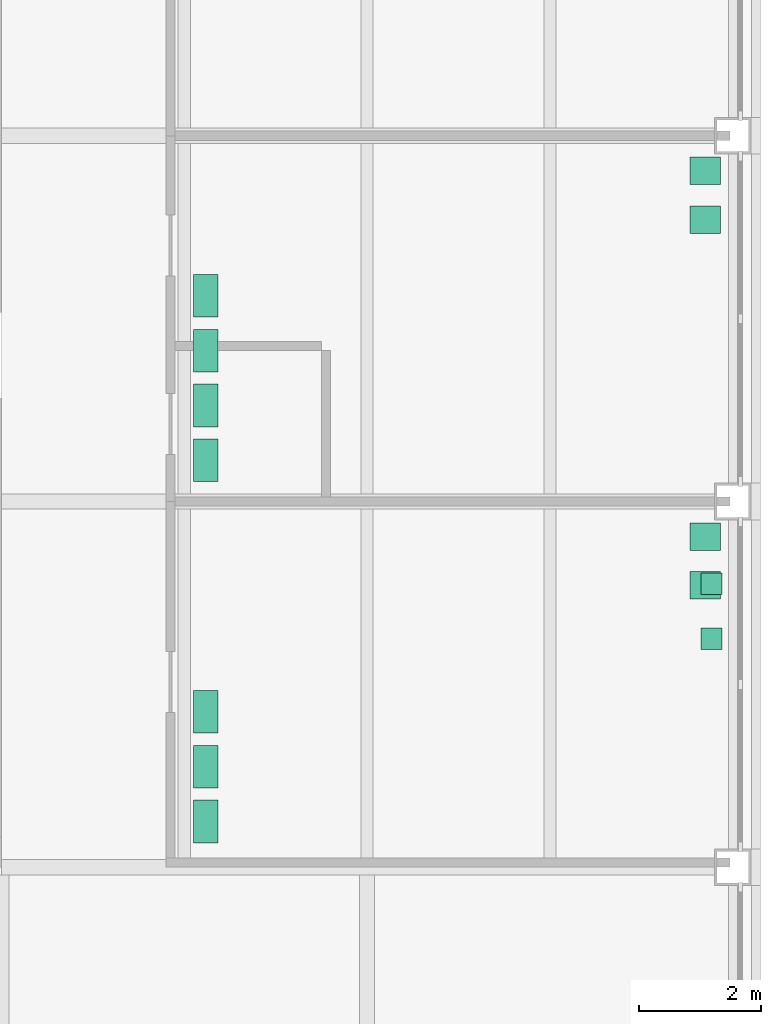
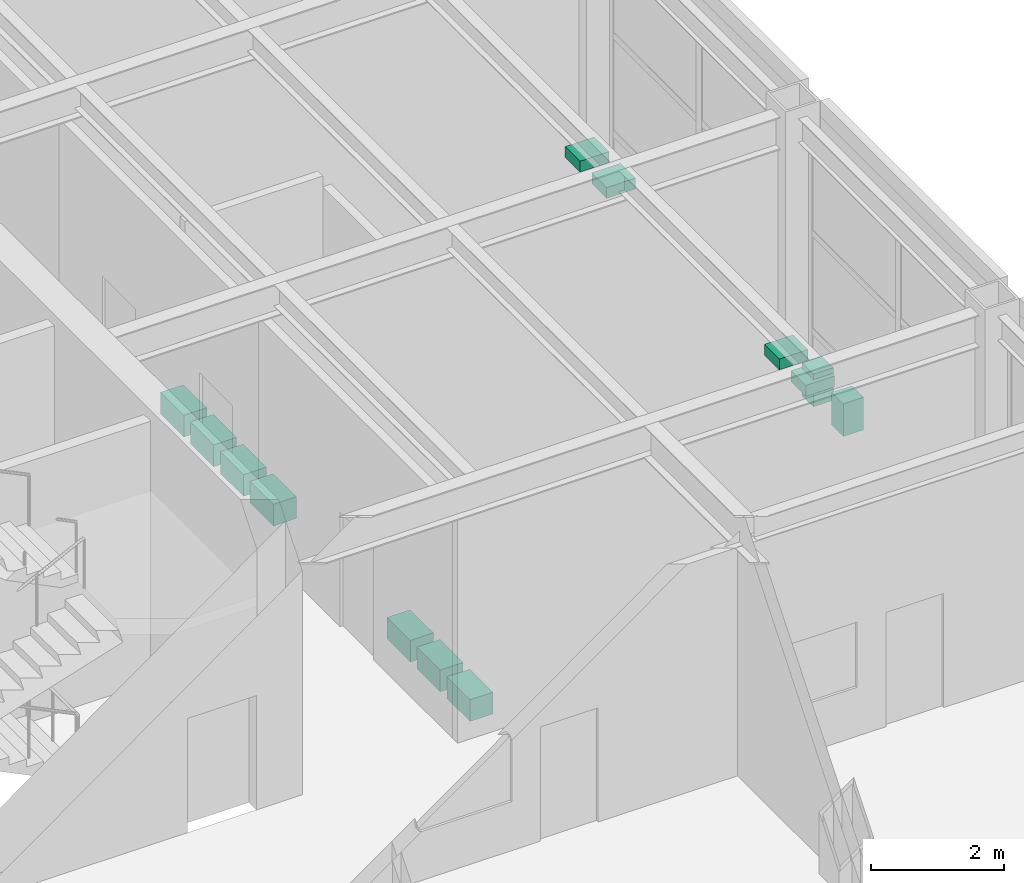
# One storey, part 67 of 67: 13 sanitary terminals.
"""IFC4 building model written with IfcOpenShell, lengths in metres."""

from ifc_helpers import new_model, si_unit, direction, frame, origin, origin_2d, place, context, subcontext, project, spatial, rectangle, extrude, material, type_object, element, save


model = new_model("IFC4")

# Units and contexts
model_context = context("Model", 3, precision=1e-05, world=origin(), true_north=direction((0.0, 1.0)))
body_context = subcontext(model_context, "Body", "Model", "MODEL_VIEW")
ifc_project = project(units=[si_unit("LENGTHUNIT", "METRE"), si_unit("AREAUNIT", "SQUARE_METRE"), si_unit("VOLUMEUNIT", "CUBIC_METRE"), si_unit("PLANEANGLEUNIT", "RADIAN"), si_unit("MASSUNIT", "GRAM", prefix="KILO")], contexts=[model_context])

# Site, building, storey
site_placement = place(None, origin())
site = spatial("IfcSite", under=ifc_project, at=site_placement, CompositionType="ELEMENT")
building_placement = place(site_placement, origin())
building = spatial("IfcBuilding", under=site, at=building_placement, Name="Aravalli Gate Trade Fair Centre", CompositionType="ELEMENT")
storey_placement = place(building_placement, frame((0.0, 0.0, 5.0)))
storey = spatial("IfcBuildingStorey", under=building, at=storey_placement, Name="L01", CompositionType="ELEMENT", Elevation=5.0)

# Sanitary terminals
ifc_material = material(Name="Vitreous china")
sanitary_terminal_type_1 = type_object("IfcSanitaryTerminalType", Name="Wing toilet pan", PredefinedType="TOILETPAN", material=ifc_material)
for number, where, z_axis, x_axis, name in (
    (1, (193.35009765625, 103.75, 0.0), (0.0, 0.0, 1.0), (1.0, 0.0, 0.0), "Wing toilet pan E1.wc1 L01"),
    (2, (193.35009765625, 104.64990234375, 0.0), (0.0, 0.0, 1.0), (1.0, 0.0, 0.0), "Wing toilet pan E1.wc2 L01"),
    (3, (193.35009765625, 105.550048828125, 0.0), (0.0, 0.0, 1.0), (1.0, 0.0, 0.0), "Wing toilet pan E1.wc3 L01"),
    (4, (193.35009765625, 109.675048828125, 0.0), (0.0, 0.0, 1.0), (1.0, 0.0, 0.0), "Wing toilet pan E2.wc1 L01"),
    (5, (193.35009765625, 110.574951171875, 0.0), (0.0, 0.0, 1.0), (1.0, 0.0, 0.0), "Wing toilet pan E2.wc2 L01"),
    (6, (193.35009765625, 111.47509765625, 0.0), (0.0, 0.0, 1.0), (1.0, 0.0, 0.0), "Wing toilet pan E2.wc3 L01"),
    (7, (193.35009765625, 112.375, 0.0), (0.0, 0.0, 1.0), (1.0, 0.0, 0.0), "Wing toilet pan E2.wc4 L01"),
):
    element("IfcSanitaryTerminal", number, at=place(storey_placement, frame(where, z_axis=z_axis, x_axis=x_axis)), inside=storey, type_object=sanitary_terminal_type_1, Name=name, PredefinedType="TOILETPAN", context=body_context, shape_type="SweptSolid", body=[
        extrude(rectangle(XDim=0.39990234375, YDim=0.699951171875, at=origin_2d()), origin(), (0.0, 0.0, 1.0), 0.39990234375),
    ])
sanitary_terminal_type_2 = type_object("IfcSanitaryTerminalType", Name="Wing urinal", PredefinedType="URINAL", material=ifc_material)
for number, where, z_axis, x_axis, name in (
    (8, (201.64990234375, 106.75, 0.39990234375), (0.0, 0.0, 1.0), (1.0, 0.0, 0.0), "Wing urinal E1.ur1 L01"),
    (9, (201.64990234375, 107.64990234375, 0.39990234375), (0.0, 0.0, 1.0), (1.0, 0.0, 0.0), "Wing urinal E1.ur2 L01"),
):
    element("IfcSanitaryTerminal", number, at=place(storey_placement, frame(where, z_axis=z_axis, x_axis=x_axis)), inside=storey, type_object=sanitary_terminal_type_2, Name=name, PredefinedType="URINAL", context=body_context, shape_type="SweptSolid", body=[
        extrude(rectangle(XDim=0.35009765625, YDim=0.35009765625, at=origin_2d()), origin(), (0.0, 0.0, 1.0), 0.60009765625),
    ])
sanitary_terminal_type_3 = type_object("IfcSanitaryTerminalType", Name="Wing wash hand basin", PredefinedType="WASHHANDBASIN", material=ifc_material)
for number, where, z_axis, x_axis, name in (
    (10, (201.550048828125, 108.425048828125, 0.7001953125), (0.0, 0.0, 1.0), (1.0, 0.0, 0.0), "Wing wash hand basin E1.wb1 L01"),
    (11, (201.550048828125, 107.625, 0.7001953125), (0.0, 0.0, 1.0), (1.0, 0.0, 0.0), "Wing wash hand basin E1.wb2 L01"),
    (12, (201.550048828125, 114.425048828125, 0.7001953125), (0.0, 0.0, 1.0), (1.0, 0.0, 0.0), "Wing wash hand basin E2.wb1 L01"),
    (13, (201.550048828125, 113.625, 0.7001953125), (0.0, 0.0, 1.0), (1.0, 0.0, 0.0), "Wing wash hand basin E2.wb2 L01"),
):
    element("IfcSanitaryTerminal", number, at=place(storey_placement, frame(where, z_axis=z_axis, x_axis=x_axis)), inside=storey, type_object=sanitary_terminal_type_3, Name=name, PredefinedType="WASHHANDBASIN", context=body_context, shape_type="SweptSolid", body=[
        extrude(rectangle(XDim=0.5, YDim=0.449951171875, at=origin_2d()), origin(), (0.0, 0.0, 1.0), 0.199951171875),
    ])

save(model, "model.ifc")
